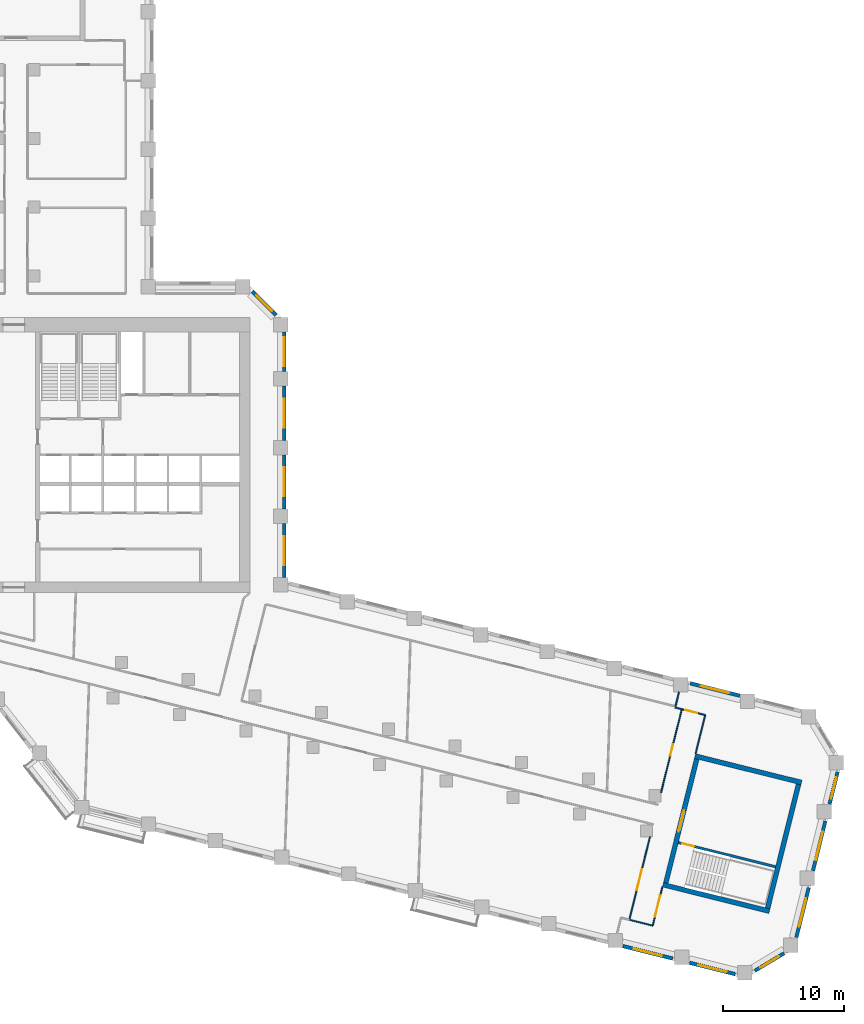
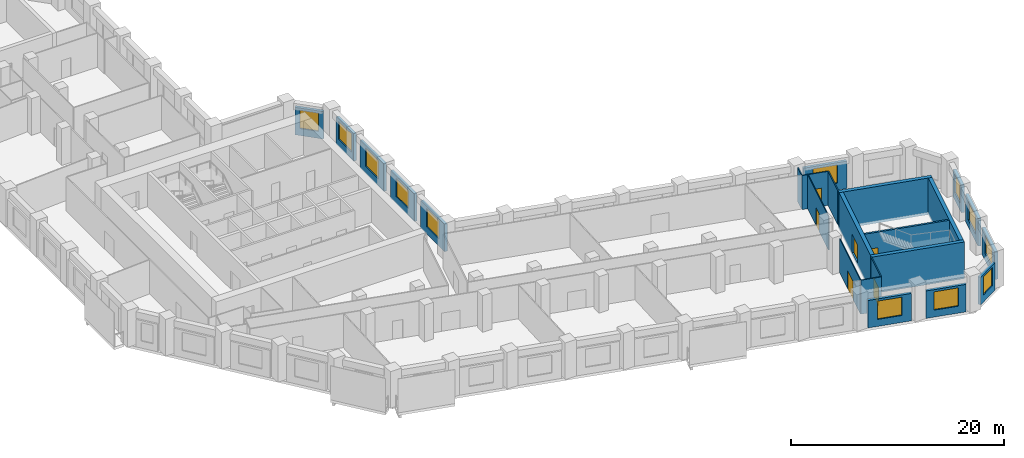
# One storey, part 6 of 10: 25 walls, 12 windows, 6 doors, 18 openings.
"""IFC4 building model written with IfcOpenShell, lengths in metres."""

from ifc_helpers import new_model, si_unit, direction, frame, frame_2d, origin, place, context, subcontext, project, spatial, rectangle, extrude, material, layer, layer_set, type_object, element, fill, save


model = new_model("IFC4")

# Units and contexts
model_context = context("Model", 3, precision=1e-05, world=origin(), true_north=direction((0.0, 1.0)))
body_context = subcontext(model_context, "Body", "Model", "MODEL_VIEW")
ifc_project = project(units=[si_unit("LENGTHUNIT", "METRE"), si_unit("AREAUNIT", "SQUARE_METRE"), si_unit("VOLUMEUNIT", "CUBIC_METRE"), si_unit("PLANEANGLEUNIT", "RADIAN"), si_unit("MASSUNIT", "GRAM", prefix="KILO")], contexts=[model_context])

# Site, building, storey
site_placement = place(None, origin())
site = spatial("IfcSite", under=ifc_project, at=site_placement, CompositionType="ELEMENT")
building_placement = place(site_placement, origin())
building = spatial("IfcBuilding", under=site, at=building_placement, Name="Meshkara Civic Tower", CompositionType="ELEMENT")
storey_placement = place(building_placement, frame((0.0, 0.0, 169.800048828125)))
storey = spatial("IfcBuildingStorey", under=building, at=storey_placement, Name="L38", CompositionType="ELEMENT", Elevation=169.800048828125)

# Wall
ifc_material_1 = material(Name="Corridor wall 100")
ifc_layer_1 = layer(ifc_material_1, 0.10009765625)
ifc_layer_set_1 = layer_set([ifc_layer_1], Name="Corridor wall 100")
wall_type_1 = type_object("IfcWallType", Name="Corridor wall 100", PredefinedType="PARTITIONING", material=ifc_layer_set_1)
wall_1_placement = place(storey_placement, frame((62.261962890625, -13.050048828125, 0.0), z_axis=(0.0, 0.0, 1.0), x_axis=(0.970300241929, -0.241903783585, 0.0)))
element("IfcWall", 1, at=wall_1_placement, inside=storey, type_object=wall_type_1, Name="L38-W032", PredefinedType="PARTITIONING", context=body_context, shape_type="SweptSolid", body=[
    extrude(rectangle(XDim=2.000244140625, YDim=0.10009765625, at=frame_2d((1.0, 0.0))), origin(), (0.0, 0.0, 1.0), 3.89990234375),
])

# Wall, opening, door
wall_2_placement = place(storey_placement, frame((63.97705078125, -6.1708984375, 0.0), z_axis=(0.0, 0.0, 1.0), x_axis=(-0.241911678739, -0.970298273568, 0.0)))
wall_2 = element("IfcWall", 2, at=wall_2_placement, inside=storey, type_object=wall_type_1, Name="L38-W033", PredefinedType="PARTITIONING", context=body_context, shape_type="SweptSolid", body=[
    extrude(rectangle(XDim=7.08984375, YDim=0.10009765625, at=frame_2d((3.544921875, 0.0))), origin(), (0.0, 0.0, 1.0), 3.89990234375),
])
opening_1_placement = place(wall_2_placement, frame((2.780029296875, 0.0, 0.0)))
opening_1 = element("IfcOpeningElement", 3, at=opening_1_placement, cuts=wall_2, Name="Opening L38-D001", PredefinedType="OPENING", context=body_context, shape_type="SweptSolid", body=[
    extrude(rectangle(XDim=1.800048828125, YDim=2.10009765625, at=frame_2d((0.89990234375, 1.050048828125))), frame((0.0, 0.06005859375, 0.0), z_axis=(0.0, -1.0, 0.0), x_axis=(1.0, 0.0, 0.0)), (0.0, 0.0, 1.0), 0.1201171875),
])
ifc_material_2 = material(Name="Door pair 1800 x 2100")
door_type_1 = type_object("IfcDoorType", Name="Door pair 1800 x 2100", OperationType="SINGLE_SWING_LEFT", PredefinedType="DOOR", material=ifc_material_2)
door_1_placement = place(opening_1_placement, origin())
door_1 = element("IfcDoor", 4, at=door_1_placement, inside=storey, type_object=door_type_1, Name="L38-D001", OperationType="DOUBLE_DOOR_SINGLE_SWING", OverallHeight=2.10009765625, OverallWidth=1.800048828125, PredefinedType="DOOR", context=body_context, shape_type="SweptSolid", body=[
    extrude(rectangle(XDim=1.800048828125, YDim=2.10009765625, at=frame_2d((0.89990234375, 1.050048828125))), frame((0.0, 0.02490234375, 0.0), z_axis=(0.0, -1.0, 0.0), x_axis=(1.0, 0.0, 0.0)), (0.0, 0.0, 1.0), 0.050048828125),
])
fill(opening_1, door_1)

wall_3_placement = place(storey_placement, frame((64.202880859375, -13.533935546875, 0.0), z_axis=(0.0, 0.0, 1.0), x_axis=(0.241856645367, 0.970311992656, 0.0)))
wall_3 = element("IfcWall", 5, at=wall_3_placement, inside=storey, type_object=wall_type_1, Name="L38-W034", PredefinedType="PARTITIONING", context=body_context, shape_type="SweptSolid", body=[
    extrude(rectangle(XDim=3.2998046875, YDim=0.10009765625, at=frame_2d((1.64990234375, 0.0))), origin(), (0.0, 0.0, 1.0), 3.89990234375),
])
opening_2_placement = place(wall_3_placement, frame((0.780029296875, 0.0, 0.0)))
opening_2 = element("IfcOpeningElement", 6, at=opening_2_placement, cuts=wall_3, Name="Opening L38-D002", PredefinedType="OPENING", context=body_context, shape_type="SweptSolid", body=[
    extrude(rectangle(XDim=1.800048828125, YDim=2.10009765625, at=frame_2d((0.89990234375, 1.050048828125))), frame((0.0, 0.06005859375, 0.0), z_axis=(0.0, -1.0, 0.0), x_axis=(1.0, 0.0, 0.0)), (0.0, 0.0, 1.0), 0.1201171875),
])
door_2_placement = place(opening_2_placement, origin())
door_2 = element("IfcDoor", 7, at=door_2_placement, inside=storey, type_object=door_type_1, Name="L38-D002", OperationType="DOUBLE_DOOR_SINGLE_SWING", OverallHeight=2.10009765625, OverallWidth=1.800048828125, PredefinedType="DOOR", context=body_context, shape_type="SweptSolid", body=[
    extrude(rectangle(XDim=1.800048828125, YDim=2.10009765625, at=frame_2d((0.89990234375, 1.050048828125))), frame((0.0, 0.02490234375, 0.0), z_axis=(0.0, -1.0, 0.0), x_axis=(1.0, 0.0, 0.0)), (0.0, 0.0, 1.0), 0.050048828125),
])
fill(opening_2, door_2)

# Wall
wall_4_placement = place(storey_placement, frame((66.0869140625, 4.64990234375, 0.0), z_axis=(0.0, 0.0, 1.0), x_axis=(0.24202255973, 0.970270622343, 0.0)))
element("IfcWall", 8, at=wall_4_placement, inside=storey, type_object=wall_type_1, Name="L38-W035", PredefinedType="PARTITIONING", context=body_context, shape_type="SweptSolid", body=[
    extrude(rectangle(XDim=1.231689453125, YDim=0.10009765625, at=frame_2d((0.61572265625, 0.0))), origin(), (0.0, 0.0, 1.0), 3.89990234375),
])

# Wall, opening, door
wall_5_placement = place(storey_placement, frame((66.616943359375, 4.4150390625, 0.0), z_axis=(0.0, 0.0, 1.0), x_axis=(-0.241898048516, -0.97030167171, 0.0)))
wall_5 = element("IfcWall", 9, at=wall_5_placement, inside=storey, type_object=wall_type_1, Name="L38-W036", PredefinedType="PARTITIONING", context=body_context, shape_type="SweptSolid", body=[
    extrude(rectangle(XDim=7.118408203125, YDim=0.10009765625, at=frame_2d((3.55908203125, 0.0))), origin(), (0.0, 0.0, 1.0), 3.89990234375),
])
opening_3_placement = place(wall_5_placement, frame((2.97998046875, 0.0, 0.0)))
opening_3 = element("IfcOpeningElement", 10, at=opening_3_placement, cuts=wall_5, Name="Opening L38-D008", PredefinedType="OPENING", context=body_context, shape_type="SweptSolid", body=[
    extrude(rectangle(XDim=1.0, YDim=2.10009765625, at=frame_2d((0.5, 1.050048828125))), frame((0.0, 0.06005859375, 0.0), z_axis=(0.0, -1.0, 0.0), x_axis=(1.0, 0.0, 0.0)), (0.0, 0.0, 1.0), 0.1201171875),
])
ifc_material_3 = material(Name="Door 1000 x 2100")
door_type_2 = type_object("IfcDoorType", Name="Door 1000 x 2100", OperationType="SINGLE_SWING_LEFT", PredefinedType="DOOR", material=ifc_material_3)
door_3_placement = place(opening_3_placement, origin())
door_3 = element("IfcDoor", 11, at=door_3_placement, inside=storey, type_object=door_type_2, Name="L38-D008", OperationType="SINGLE_SWING_RIGHT", OverallHeight=2.10009765625, OverallWidth=1.0, PredefinedType="DOOR", context=body_context, shape_type="SweptSolid", body=[
    extrude(rectangle(XDim=1.0, YDim=2.10009765625, at=frame_2d((0.5, 1.050048828125))), frame((0.0, 0.02490234375, 0.0), z_axis=(0.0, -1.0, 0.0), x_axis=(1.0, 0.0, 0.0)), (0.0, 0.0, 1.0), 0.050048828125),
])
fill(opening_3, door_3)

# Wall
wall_6_placement = place(storey_placement, frame((67.759033203125, 0.72900390625, 0.0), z_axis=(0.0, 0.0, 1.0), x_axis=(0.241786986316, 0.970329352977, 0.0)))
element("IfcWall", 12, at=wall_6_placement, inside=storey, type_object=wall_type_1, Name="L38-W037", PredefinedType="PARTITIONING", context=body_context, shape_type="SweptSolid", body=[
    extrude(rectangle(XDim=3.2998046875, YDim=0.10009765625, at=frame_2d((1.64990234375, 0.0))), origin(), (0.0, 0.0, 1.0), 3.89990234375),
])

# Wall, opening, door
wall_7_placement = place(storey_placement, frame((68.556884765625, 3.930908203125, 0.0), z_axis=(0.0, 0.0, 1.0), x_axis=(-0.970242973473, 0.242133377347, 0.0)))
wall_7 = element("IfcWall", 13, at=wall_7_placement, inside=storey, type_object=wall_type_1, Name="L38-W038", PredefinedType="PARTITIONING", context=body_context, shape_type="SweptSolid", body=[
    extrude(rectangle(XDim=1.99951171875, YDim=0.10009765625, at=frame_2d((0.999755859375, 0.0))), origin(), (0.0, 0.0, 1.0), 3.89990234375),
])
opening_4_placement = place(wall_7_placement, frame((0.679931640625, 0.0, 0.0)))
opening_4 = element("IfcOpeningElement", 14, at=opening_4_placement, cuts=wall_7, Name="Opening L38-D009", PredefinedType="OPENING", context=body_context, shape_type="SweptSolid", body=[
    extrude(rectangle(XDim=1.0, YDim=2.10009765625, at=frame_2d((0.5, 1.050048828125))), frame((0.0, 0.06005859375, 0.0), z_axis=(0.0, -1.0, 0.0), x_axis=(1.0, 0.0, 0.0)), (0.0, 0.0, 1.0), 0.1201171875),
])
door_4_placement = place(opening_4_placement, origin())
door_4 = element("IfcDoor", 15, at=door_4_placement, inside=storey, type_object=door_type_2, Name="L38-D009", OperationType="SINGLE_SWING_LEFT", OverallHeight=2.10009765625, OverallWidth=1.0, PredefinedType="DOOR", context=body_context, shape_type="SweptSolid", body=[
    extrude(rectangle(XDim=1.0, YDim=2.10009765625, at=frame_2d((0.5, 1.050048828125))), frame((0.0, 0.02490234375, 0.0), z_axis=(0.0, -1.0, 0.0), x_axis=(1.0, 0.0, 0.0)), (0.0, 0.0, 1.0), 0.050048828125),
])
fill(opening_4, door_4)

# Wall, opening, window
ifc_material_4 = material(Name="Insulated infill panel with bronze anodised aluminium cladding", Category="aluminium")
ifc_layer_2 = layer(ifc_material_4, 0.300048828125)
ifc_layer_set_2 = layer_set([ifc_layer_2], Name="EXTERNAL INFILL WALL 300")
wall_type_2 = type_object("IfcWallType", Name="EXTERNAL INFILL WALL 300", PredefinedType="SOLIDWALL", material=ifc_layer_set_2)
wall_8_placement = place(storey_placement, frame((71.431884765625, 5.532958984375, 0.0), z_axis=(0.0, 0.0, 1.0), x_axis=(-0.970301260502, 0.241899697951, 0.0)))
wall_8 = element("IfcWall", 16, at=wall_8_placement, inside=storey, type_object=wall_type_2, Name="External wall", PredefinedType="SOLIDWALL", context=body_context, shape_type="SweptSolid", body=[
    extrude(rectangle(XDim=4.24609375, YDim=0.300048828125, at=frame_2d((2.123046875, 0.0))), origin(), (0.0, 0.0, 1.0), 3.14990234375),
])
opening_5_placement = place(wall_8_placement, frame((0.923095703125, 0.0, 0.800048828125)))
opening_5 = element("IfcOpeningElement", 17, at=opening_5_placement, cuts=wall_8, Name="Opening W7", PredefinedType="OPENING", context=body_context, shape_type="SweptSolid", body=[
    extrude(rectangle(XDim=2.39990234375, YDim=2.10009765625, at=frame_2d((1.199951171875, 1.050048828125))), frame((0.0, 0.159912109375, 0.0), z_axis=(0.0, -1.0, 0.0), x_axis=(1.0, 0.0, 0.0)), (0.0, 0.0, 1.0), 0.320068359375),
])
ifc_material_5 = material(Name="Tinted double glazing", Category="glass")
window_type_1 = type_object("IfcWindowType", Name="WINDOW 2400x2100", PartitioningType="DOUBLE_PANEL_VERTICAL", PredefinedType="WINDOW", material=ifc_material_5)
window_1_placement = place(opening_5_placement, origin())
window_1 = element("IfcWindow", 18, at=window_1_placement, inside=storey, type_object=window_type_1, Name="Window", OverallHeight=2.10009765625, OverallWidth=2.39990234375, PartitioningType="DOUBLE_PANEL_VERTICAL", PredefinedType="WINDOW", context=body_context, shape_type="SweptSolid", body=[
    extrude(rectangle(XDim=2.39990234375, YDim=2.10009765625, at=frame_2d((1.199951171875, 1.050048828125))), frame((0.0, 0.030029296875, 0.0), z_axis=(0.0, -1.0, 0.0), x_axis=(1.0, 0.0, 0.0)), (0.0, 0.0, 1.0), 0.06005859375),
])
fill(opening_5, window_1)

wall_9_placement = place(storey_placement, frame((33.64990234375, 15.319091796875, 0.0), z_axis=(0.0, 0.0, 1.0), x_axis=(0.0, 1.0, 0.0)))
wall_9 = element("IfcWall", 19, at=wall_9_placement, inside=storey, type_object=wall_type_2, Name="External wall", PredefinedType="SOLIDWALL", context=body_context, shape_type="SweptSolid", body=[
    extrude(rectangle(XDim=4.5, YDim=0.300048828125, at=frame_2d((2.25, 0.0))), origin(), (0.0, 0.0, 1.0), 3.14990234375),
])
opening_6_placement = place(wall_9_placement, frame((1.050048828125, 0.0, 0.800048828125)))
opening_6 = element("IfcOpeningElement", 20, at=opening_6_placement, cuts=wall_9, Name="Opening W7", PredefinedType="OPENING", context=body_context, shape_type="SweptSolid", body=[
    extrude(rectangle(XDim=2.39990234375, YDim=2.10009765625, at=frame_2d((1.199951171875, 1.050048828125))), frame((0.0, 0.159912109375, 0.0), z_axis=(0.0, -1.0, 0.0), x_axis=(1.0, 0.0, 0.0)), (0.0, 0.0, 1.0), 0.320068359375),
])
window_2_placement = place(opening_6_placement, origin())
window_2 = element("IfcWindow", 21, at=window_2_placement, inside=storey, type_object=window_type_1, Name="Window", OverallHeight=2.10009765625, OverallWidth=2.39990234375, PartitioningType="DOUBLE_PANEL_VERTICAL", PredefinedType="WINDOW", context=body_context, shape_type="SweptSolid", body=[
    extrude(rectangle(XDim=2.39990234375, YDim=2.10009765625, at=frame_2d((1.199951171875, 1.050048828125))), frame((0.0, 0.030029296875, 0.0), z_axis=(0.0, -1.0, 0.0), x_axis=(1.0, 0.0, 0.0)), (0.0, 0.0, 1.0), 0.06005859375),
])
fill(opening_6, window_2)

wall_10_placement = place(storey_placement, frame((33.64990234375, 21.01904296875, 0.0), z_axis=(0.0, 0.0, 1.0), x_axis=(0.0, 1.0, 0.0)))
wall_10 = element("IfcWall", 22, at=wall_10_placement, inside=storey, type_object=wall_type_2, Name="External wall", PredefinedType="SOLIDWALL", context=body_context, shape_type="SweptSolid", body=[
    extrude(rectangle(XDim=4.5, YDim=0.300048828125, at=frame_2d((2.25, 0.0))), origin(), (0.0, 0.0, 1.0), 3.14990234375),
])
opening_7_placement = place(wall_10_placement, frame((1.050048828125, 0.0, 0.800048828125)))
opening_7 = element("IfcOpeningElement", 23, at=opening_7_placement, cuts=wall_10, Name="Opening W7", PredefinedType="OPENING", context=body_context, shape_type="SweptSolid", body=[
    extrude(rectangle(XDim=2.39990234375, YDim=2.10009765625, at=frame_2d((1.199951171875, 1.050048828125))), frame((0.0, 0.159912109375, 0.0), z_axis=(0.0, -1.0, 0.0), x_axis=(1.0, 0.0, 0.0)), (0.0, 0.0, 1.0), 0.320068359375),
])
window_3_placement = place(opening_7_placement, origin())
window_3 = element("IfcWindow", 24, at=window_3_placement, inside=storey, type_object=window_type_1, Name="Window", OverallHeight=2.10009765625, OverallWidth=2.39990234375, PartitioningType="DOUBLE_PANEL_VERTICAL", PredefinedType="WINDOW", context=body_context, shape_type="SweptSolid", body=[
    extrude(rectangle(XDim=2.39990234375, YDim=2.10009765625, at=frame_2d((1.199951171875, 1.050048828125))), frame((0.0, 0.030029296875, 0.0), z_axis=(0.0, -1.0, 0.0), x_axis=(1.0, 0.0, 0.0)), (0.0, 0.0, 1.0), 0.06005859375),
])
fill(opening_7, window_3)

wall_11_placement = place(storey_placement, frame((33.64990234375, 26.718994140625, 0.0), z_axis=(0.0, 0.0, 1.0), x_axis=(0.0, 1.0, 0.0)))
wall_11 = element("IfcWall", 25, at=wall_11_placement, inside=storey, type_object=wall_type_2, Name="External wall", PredefinedType="SOLIDWALL", context=body_context, shape_type="SweptSolid", body=[
    extrude(rectangle(XDim=4.5, YDim=0.300048828125, at=frame_2d((2.25, 0.0))), origin(), (0.0, 0.0, 1.0), 3.14990234375),
])
opening_8_placement = place(wall_11_placement, frame((1.050048828125, 0.0, 0.800048828125)))
opening_8 = element("IfcOpeningElement", 26, at=opening_8_placement, cuts=wall_11, Name="Opening W7", PredefinedType="OPENING", context=body_context, shape_type="SweptSolid", body=[
    extrude(rectangle(XDim=2.39990234375, YDim=2.10009765625, at=frame_2d((1.199951171875, 1.050048828125))), frame((0.0, 0.159912109375, 0.0), z_axis=(0.0, -1.0, 0.0), x_axis=(1.0, 0.0, 0.0)), (0.0, 0.0, 1.0), 0.320068359375),
])
window_4_placement = place(opening_8_placement, origin())
window_4 = element("IfcWindow", 27, at=window_4_placement, inside=storey, type_object=window_type_1, Name="Window", OverallHeight=2.10009765625, OverallWidth=2.39990234375, PartitioningType="DOUBLE_PANEL_VERTICAL", PredefinedType="WINDOW", context=body_context, shape_type="SweptSolid", body=[
    extrude(rectangle(XDim=2.39990234375, YDim=2.10009765625, at=frame_2d((1.199951171875, 1.050048828125))), frame((0.0, 0.030029296875, 0.0), z_axis=(0.0, -1.0, 0.0), x_axis=(1.0, 0.0, 0.0)), (0.0, 0.0, 1.0), 0.06005859375),
])
fill(opening_8, window_4)

wall_12_placement = place(storey_placement, frame((33.64990234375, 32.4189453125, 0.0), z_axis=(0.0, 0.0, 1.0), x_axis=(0.0, 1.0, 0.0)))
wall_12 = element("IfcWall", 28, at=wall_12_placement, inside=storey, type_object=wall_type_2, Name="External wall", PredefinedType="SOLIDWALL", context=body_context, shape_type="SweptSolid", body=[
    extrude(rectangle(XDim=3.275146484375, YDim=0.300048828125, at=frame_2d((1.6376953125, 0.0))), origin(), (0.0, 0.0, 1.0), 3.14990234375),
])
opening_9_placement = place(wall_12_placement, frame((0.43798828125, 0.0, 0.800048828125)))
opening_9 = element("IfcOpeningElement", 29, at=opening_9_placement, cuts=wall_12, Name="Opening W7", PredefinedType="OPENING", context=body_context, shape_type="SweptSolid", body=[
    extrude(rectangle(XDim=2.39990234375, YDim=2.10009765625, at=frame_2d((1.199951171875, 1.050048828125))), frame((0.0, 0.159912109375, 0.0), z_axis=(0.0, -1.0, 0.0), x_axis=(1.0, 0.0, 0.0)), (0.0, 0.0, 1.0), 0.320068359375),
])
window_5_placement = place(opening_9_placement, origin())
window_5 = element("IfcWindow", 30, at=window_5_placement, inside=storey, type_object=window_type_1, Name="Window", OverallHeight=2.10009765625, OverallWidth=2.39990234375, PartitioningType="DOUBLE_PANEL_VERTICAL", PredefinedType="WINDOW", context=body_context, shape_type="SweptSolid", body=[
    extrude(rectangle(XDim=2.39990234375, YDim=2.10009765625, at=frame_2d((1.199951171875, 1.050048828125))), frame((0.0, 0.030029296875, 0.0), z_axis=(0.0, -1.0, 0.0), x_axis=(1.0, 0.0, 0.0)), (0.0, 0.0, 1.0), 0.06005859375),
])
fill(opening_9, window_5)

wall_13_placement = place(storey_placement, frame((32.9619140625, 37.10595703125, 0.0), z_axis=(0.0, 0.0, 1.0), x_axis=(-0.707062649074, 0.707150910545, 0.0)))
wall_13 = element("IfcWall", 31, at=wall_13_placement, inside=storey, type_object=wall_type_2, Name="External wall", PredefinedType="SOLIDWALL", context=body_context, shape_type="SweptSolid", body=[
    extrude(rectangle(XDim=2.76611328125, YDim=0.300048828125, at=frame_2d((1.383056640625, 0.0))), origin(), (0.0, 0.0, 1.0), 3.14990234375),
])
opening_10_placement = place(wall_13_placement, frame((0.48291015625, 0.0, 0.800048828125)))
opening_10 = element("IfcOpeningElement", 32, at=opening_10_placement, cuts=wall_13, Name="Opening W9", PredefinedType="OPENING", context=body_context, shape_type="SweptSolid", body=[
    extrude(rectangle(XDim=1.800048828125, YDim=2.10009765625, at=frame_2d((0.89990234375, 1.050048828125))), frame((0.0, 0.159912109375, 0.0), z_axis=(0.0, -1.0, 0.0), x_axis=(1.0, 0.0, 0.0)), (0.0, 0.0, 1.0), 0.320068359375),
])
ifc_material_6 = material(Name="Tinted double glazing", Category="glass")
window_type_2 = type_object("IfcWindowType", Name="WINDOW 1800x2100", PartitioningType="DOUBLE_PANEL_VERTICAL", PredefinedType="WINDOW", material=ifc_material_6)
window_6_placement = place(opening_10_placement, origin())
window_6 = element("IfcWindow", 33, at=window_6_placement, inside=storey, type_object=window_type_2, Name="Window", OverallHeight=2.10009765625, OverallWidth=1.800048828125, PartitioningType="DOUBLE_PANEL_VERTICAL", PredefinedType="WINDOW", context=body_context, shape_type="SweptSolid", body=[
    extrude(rectangle(XDim=1.800048828125, YDim=2.10009765625, at=frame_2d((0.89990234375, 1.050048828125))), frame((0.0, 0.030029296875, 0.0), z_axis=(0.0, -1.0, 0.0), x_axis=(1.0, 0.0, 0.0)), (0.0, 0.0, 1.0), 0.06005859375),
])
fill(opening_10, window_6)

wall_14_placement = place(storey_placement, frame((61.72998046875, -15.236083984375, 0.0), z_axis=(0.0, 0.0, 1.0), x_axis=(0.970304663212, -0.241886048688, 0.0)))
wall_14 = element("IfcWall", 34, at=wall_14_placement, inside=storey, type_object=wall_type_2, Name="External wall", PredefinedType="SOLIDWALL", context=body_context, shape_type="SweptSolid", body=[
    extrude(rectangle(XDim=4.2451171875, YDim=0.300048828125, at=frame_2d((2.12255859375, 0.0))), origin(), (0.0, 0.0, 1.0), 3.14990234375),
])
opening_11_placement = place(wall_14_placement, frame((0.922119140625, 0.0, 0.800048828125)))
opening_11 = element("IfcOpeningElement", 35, at=opening_11_placement, cuts=wall_14, Name="Opening W7", PredefinedType="OPENING", context=body_context, shape_type="SweptSolid", body=[
    extrude(rectangle(XDim=2.39990234375, YDim=2.10009765625, at=frame_2d((1.199951171875, 1.050048828125))), frame((0.0, 0.159912109375, 0.0), z_axis=(0.0, -1.0, 0.0), x_axis=(1.0, 0.0, 0.0)), (0.0, 0.0, 1.0), 0.320068359375),
])
window_7_placement = place(opening_11_placement, origin())
window_7 = element("IfcWindow", 36, at=window_7_placement, inside=storey, type_object=window_type_1, Name="Window", OverallHeight=2.10009765625, OverallWidth=2.39990234375, PartitioningType="DOUBLE_PANEL_VERTICAL", PredefinedType="WINDOW", context=body_context, shape_type="SweptSolid", body=[
    extrude(rectangle(XDim=2.39990234375, YDim=2.10009765625, at=frame_2d((1.199951171875, 1.050048828125))), frame((0.0, 0.030029296875, 0.0), z_axis=(0.0, -1.0, 0.0), x_axis=(1.0, 0.0, 0.0)), (0.0, 0.0, 1.0), 0.06005859375),
])
fill(opening_11, window_7)

wall_15_placement = place(storey_placement, frame((67.260009765625, -16.614990234375, 0.0), z_axis=(0.0, 0.0, 1.0), x_axis=(0.97033344074, -0.241770580885, 0.0)))
wall_15 = element("IfcWall", 37, at=wall_15_placement, inside=storey, type_object=wall_type_2, Name="External wall", PredefinedType="SOLIDWALL", context=body_context, shape_type="SweptSolid", body=[
    extrude(rectangle(XDim=3.905029296875, YDim=0.300048828125, at=frame_2d((1.95263671875, 0.0))), origin(), (0.0, 0.0, 1.0), 3.14990234375),
])
opening_12_placement = place(wall_15_placement, frame((0.751953125, 0.0, 0.800048828125)))
opening_12 = element("IfcOpeningElement", 38, at=opening_12_placement, cuts=wall_15, Name="Opening W7", PredefinedType="OPENING", context=body_context, shape_type="SweptSolid", body=[
    extrude(rectangle(XDim=2.39990234375, YDim=2.10009765625, at=frame_2d((1.199951171875, 1.050048828125))), frame((0.0, 0.159912109375, 0.0), z_axis=(0.0, -1.0, 0.0), x_axis=(1.0, 0.0, 0.0)), (0.0, 0.0, 1.0), 0.320068359375),
])
window_8_placement = place(opening_12_placement, origin())
window_8 = element("IfcWindow", 39, at=window_8_placement, inside=storey, type_object=window_type_1, Name="Window", OverallHeight=2.10009765625, OverallWidth=2.39990234375, PartitioningType="DOUBLE_PANEL_VERTICAL", PredefinedType="WINDOW", context=body_context, shape_type="SweptSolid", body=[
    extrude(rectangle(XDim=2.39990234375, YDim=2.10009765625, at=frame_2d((1.199951171875, 1.050048828125))), frame((0.0, 0.030029296875, 0.0), z_axis=(0.0, -1.0, 0.0), x_axis=(1.0, 0.0, 0.0)), (0.0, 0.0, 1.0), 0.06005859375),
])
fill(opening_12, window_8)

wall_16_placement = place(storey_placement, frame((72.68701171875, -17.277099609375, 0.0), z_axis=(0.0, 0.0, 1.0), x_axis=(0.857309341171, 0.514801606, 0.0)))
wall_16 = element("IfcWall", 40, at=wall_16_placement, inside=storey, type_object=wall_type_2, Name="External wall", PredefinedType="SOLIDWALL", context=body_context, shape_type="SweptSolid", body=[
    extrude(rectangle(XDim=2.81689453125, YDim=0.300048828125, at=frame_2d((1.408447265625, 0.0))), origin(), (0.0, 0.0, 1.0), 3.14990234375),
])
opening_13_placement = place(wall_16_placement, frame((0.508056640625, 0.0, 0.800048828125)))
opening_13 = element("IfcOpeningElement", 41, at=opening_13_placement, cuts=wall_16, Name="Opening W9", PredefinedType="OPENING", context=body_context, shape_type="SweptSolid", body=[
    extrude(rectangle(XDim=1.800048828125, YDim=2.10009765625, at=frame_2d((0.89990234375, 1.050048828125))), frame((0.0, 0.159912109375, 0.0), z_axis=(0.0, -1.0, 0.0), x_axis=(1.0, 0.0, 0.0)), (0.0, 0.0, 1.0), 0.320068359375),
])
window_9_placement = place(opening_13_placement, origin())
window_9 = element("IfcWindow", 42, at=window_9_placement, inside=storey, type_object=window_type_2, Name="Window", OverallHeight=2.10009765625, OverallWidth=1.800048828125, PartitioningType="DOUBLE_PANEL_VERTICAL", PredefinedType="WINDOW", context=body_context, shape_type="SweptSolid", body=[
    extrude(rectangle(XDim=1.800048828125, YDim=2.10009765625, at=frame_2d((0.89990234375, 1.050048828125))), frame((0.0, 0.030029296875, 0.0), z_axis=(0.0, -1.0, 0.0), x_axis=(1.0, 0.0, 0.0)), (0.0, 0.0, 1.0), 0.06005859375),
])
fill(opening_13, window_9)

wall_17_placement = place(storey_placement, frame((76.12109375, -14.511962890625, 0.0), z_axis=(0.0, 0.0, 1.0), x_axis=(0.241845562088, 0.970314755169, 0.0)))
wall_17 = element("IfcWall", 43, at=wall_17_placement, inside=storey, type_object=wall_type_2, Name="External wall", PredefinedType="SOLIDWALL", context=body_context, shape_type="SweptSolid", body=[
    extrude(rectangle(XDim=4.245849609375, YDim=0.300048828125, at=frame_2d((2.123046875, 0.0))), origin(), (0.0, 0.0, 1.0), 3.14990234375),
])
opening_14_placement = place(wall_17_placement, frame((0.923095703125, 0.0, 0.800048828125)))
opening_14 = element("IfcOpeningElement", 44, at=opening_14_placement, cuts=wall_17, Name="Opening W7", PredefinedType="OPENING", context=body_context, shape_type="SweptSolid", body=[
    extrude(rectangle(XDim=2.39990234375, YDim=2.10009765625, at=frame_2d((1.199951171875, 1.050048828125))), frame((0.0, 0.159912109375, 0.0), z_axis=(0.0, -1.0, 0.0), x_axis=(1.0, 0.0, 0.0)), (0.0, 0.0, 1.0), 0.320068359375),
])
window_10_placement = place(opening_14_placement, origin())
window_10 = element("IfcWindow", 45, at=window_10_placement, inside=storey, type_object=window_type_1, Name="Window", OverallHeight=2.10009765625, OverallWidth=2.39990234375, PartitioningType="DOUBLE_PANEL_VERTICAL", PredefinedType="WINDOW", context=body_context, shape_type="SweptSolid", body=[
    extrude(rectangle(XDim=2.39990234375, YDim=2.10009765625, at=frame_2d((1.199951171875, 1.050048828125))), frame((0.0, 0.030029296875, 0.0), z_axis=(0.0, -1.0, 0.0), x_axis=(1.0, 0.0, 0.0)), (0.0, 0.0, 1.0), 0.06005859375),
])
fill(opening_14, window_10)

wall_18_placement = place(storey_placement, frame((77.5, -8.98095703125, 0.0), z_axis=(0.0, 0.0, 1.0), x_axis=(0.241682938765, 0.970355273655, 0.0)))
wall_18 = element("IfcWall", 46, at=wall_18_placement, inside=storey, type_object=wall_type_2, Name="External wall", PredefinedType="SOLIDWALL", context=body_context, shape_type="SweptSolid", body=[
    extrude(rectangle(XDim=4.24462890625, YDim=0.300048828125, at=frame_2d((2.122314453125, 0.0))), origin(), (0.0, 0.0, 1.0), 3.14990234375),
])
opening_15_placement = place(wall_18_placement, frame((0.922119140625, 0.0, 0.800048828125)))
opening_15 = element("IfcOpeningElement", 47, at=opening_15_placement, cuts=wall_18, Name="Opening W7", PredefinedType="OPENING", context=body_context, shape_type="SweptSolid", body=[
    extrude(rectangle(XDim=2.39990234375, YDim=2.10009765625, at=frame_2d((1.199951171875, 1.050048828125))), frame((0.0, 0.159912109375, 0.0), z_axis=(0.0, -1.0, 0.0), x_axis=(1.0, 0.0, 0.0)), (0.0, 0.0, 1.0), 0.320068359375),
])
window_11_placement = place(opening_15_placement, origin())
window_11 = element("IfcWindow", 48, at=window_11_placement, inside=storey, type_object=window_type_1, Name="Window", OverallHeight=2.10009765625, OverallWidth=2.39990234375, PartitioningType="DOUBLE_PANEL_VERTICAL", PredefinedType="WINDOW", context=body_context, shape_type="SweptSolid", body=[
    extrude(rectangle(XDim=2.39990234375, YDim=2.10009765625, at=frame_2d((1.199951171875, 1.050048828125))), frame((0.0, 0.030029296875, 0.0), z_axis=(0.0, -1.0, 0.0), x_axis=(1.0, 0.0, 0.0)), (0.0, 0.0, 1.0), 0.06005859375),
])
fill(opening_15, window_11)

wall_19_placement = place(storey_placement, frame((78.8779296875, -3.450927734375, 0.0), z_axis=(0.0, 0.0, 1.0), x_axis=(0.24190501074, 0.970299935988, 0.0)))
wall_19 = element("IfcWall", 49, at=wall_19_placement, inside=storey, type_object=wall_type_2, Name="External wall", PredefinedType="SOLIDWALL", context=body_context, shape_type="SweptSolid", body=[
    extrude(rectangle(XDim=2.73291015625, YDim=0.300048828125, at=frame_2d((1.366455078125, 0.0))), origin(), (0.0, 0.0, 1.0), 3.14990234375),
])
opening_16_placement = place(wall_19_placement, frame((0.466064453125, 0.0, 0.800048828125)))
opening_16 = element("IfcOpeningElement", 50, at=opening_16_placement, cuts=wall_19, Name="Opening W9", PredefinedType="OPENING", context=body_context, shape_type="SweptSolid", body=[
    extrude(rectangle(XDim=1.800048828125, YDim=2.10009765625, at=frame_2d((0.89990234375, 1.050048828125))), frame((0.0, 0.159912109375, 0.0), z_axis=(0.0, -1.0, 0.0), x_axis=(1.0, 0.0, 0.0)), (0.0, 0.0, 1.0), 0.320068359375),
])
window_12_placement = place(opening_16_placement, origin())
window_12 = element("IfcWindow", 51, at=window_12_placement, inside=storey, type_object=window_type_2, Name="Window", OverallHeight=2.10009765625, OverallWidth=1.800048828125, PartitioningType="DOUBLE_PANEL_VERTICAL", PredefinedType="WINDOW", context=body_context, shape_type="SweptSolid", body=[
    extrude(rectangle(XDim=1.800048828125, YDim=2.10009765625, at=frame_2d((0.89990234375, 1.050048828125))), frame((0.0, 0.030029296875, 0.0), z_axis=(0.0, -1.0, 0.0), x_axis=(1.0, 0.0, 0.0)), (0.0, 0.0, 1.0), 0.06005859375),
])
fill(opening_16, window_12)

# Walls
ifc_material_7 = material(Name="Concrete C70", Category="concrete")
ifc_layer_3 = layer(ifc_material_7, 0.39990234375)
ifc_layer_set_3 = layer_set([ifc_layer_3], Name="End core ring wall 400 C70")
wall_type_3 = type_object("IfcWallType", Name="End core ring wall 400 C70", PredefinedType="SHEAR", material=ifc_layer_set_3)
for number, where, z_axis, x_axis, name in (
    (52, (65.050048828125, -10.137939453125, -0.300048828125), (0.0, 0.0, 1.0), (0.970273354879, -0.242011604707, 0.0), "L38-C027"),
    (53, (67.7109375, 0.534912109375, -0.300048828125), (0.0, 0.0, 1.0), (0.970306418893, -0.241879005816, 0.0), "L38-C028"),
):
    element("IfcWall", number, at=place(storey_placement, frame(where, z_axis=z_axis, x_axis=x_axis)), inside=storey, type_object=wall_type_3, Name=name, PredefinedType="SHEAR", context=body_context, shape_type="SweptSolid", body=[
        extrude(rectangle(XDim=9.099365234375, YDim=0.39990234375, at=frame_2d((4.5498046875, 0.0))), origin(), (0.0, 0.0, 1.0), 4.199951171875),
    ])

# Wall, opening, door
wall_20_placement = place(storey_placement, frame((65.2919921875, -9.991943359375, -0.300048828125), z_axis=(0.0, 0.0, 1.0), x_axis=(0.241890652548, 0.970303515509, 0.0)))
wall_20 = element("IfcWall", 54, at=wall_20_placement, inside=storey, type_object=wall_type_3, Name="L38-C029", PredefinedType="SHEAR", context=body_context, shape_type="SweptSolid", body=[
    extrude(rectangle(XDim=10.599609375, YDim=0.39990234375, at=frame_2d((5.2998046875, 0.0))), origin(), (0.0, 0.0, 1.0), 4.199951171875),
])
opening_17_placement = place(wall_20_placement, frame((4.39990234375, 0.0, 0.300048828125)))
opening_17 = element("IfcOpeningElement", 55, at=opening_17_placement, cuts=wall_20, Name="Opening L38-K202", PredefinedType="OPENING", context=body_context, shape_type="SweptSolid", body=[
    extrude(rectangle(XDim=1.800048828125, YDim=2.10009765625, at=frame_2d((0.89990234375, 1.050048828125))), frame((0.0, 0.2099609375, 0.0), z_axis=(0.0, -1.0, 0.0), x_axis=(1.0, 0.0, 0.0)), (0.0, 0.0, 1.0), 0.419921875),
])
ifc_material_8 = material(Name="Fire-rated door leaf in steel frame", Category="steel")
door_type_3 = type_object("IfcDoorType", Name="Core double door 1800 EI 60", OperationType="DOUBLE_DOOR_SINGLE_SWING", PredefinedType="DOOR", material=ifc_material_8)
door_5_placement = place(opening_17_placement, origin())
door_5 = element("IfcDoor", 56, at=door_5_placement, inside=storey, type_object=door_type_3, Name="L38-K202", OperationType="DOUBLE_DOOR_SINGLE_SWING", OverallHeight=2.10009765625, OverallWidth=1.800048828125, PredefinedType="DOOR", context=body_context, shape_type="SweptSolid", body=[
    extrude(rectangle(XDim=1.800048828125, YDim=2.10009765625, at=frame_2d((0.89990234375, 1.050048828125))), frame((0.0, 0.02490234375, 0.0), z_axis=(0.0, -1.0, 0.0), x_axis=(1.0, 0.0, 0.0)), (0.0, 0.0, 1.0), 0.050048828125),
])
fill(opening_17, door_5)

# Walls
wall_21_placement = place(storey_placement, frame((73.73388671875, -12.096923828125, -0.300048828125), z_axis=(0.0, 0.0, 1.0), x_axis=(0.241912337509, 0.970298109326, 0.0)))
element("IfcWall", 57, at=wall_21_placement, inside=storey, type_object=wall_type_3, Name="L38-C030", PredefinedType="SHEAR", context=body_context, shape_type="SweptSolid", body=[
    extrude(rectangle(XDim=10.599853515625, YDim=0.39990234375, at=frame_2d((5.2998046875, 0.0))), origin(), (0.0, 0.0, 1.0), 4.199951171875),
])
ifc_material_9 = material(Name="Partition 100")
ifc_layer_4 = layer(ifc_material_9, 0.10009765625)
ifc_layer_set_4 = layer_set([ifc_layer_4], Name="Partition 100")
wall_type_4 = type_object("IfcWallType", Name="Partition 100", PredefinedType="PARTITIONING", material=ifc_layer_set_4)
wall_22_placement = place(storey_placement, frame((66.62109375, 4.4140625, 0.0), z_axis=(0.0, 0.0, 1.0), x_axis=(-0.970391687927, 0.241536688727, 0.0)))
element("IfcWall", 58, at=wall_22_placement, inside=storey, type_object=wall_type_4, Name="L38-W058", PredefinedType="PARTITIONING", context=body_context, shape_type="SweptSolid", body=[
    extrude(rectangle(XDim=0.5751953125, YDim=0.10009765625, at=frame_2d((0.28759765625, 0.0))), origin(), (0.0, 0.0, 1.0), 3.89990234375),
])

# Wall, opening, door
ifc_material_10 = material(Name="Concrete C40/50", Category="concrete")
ifc_layer_5 = layer(ifc_material_10, 0.199951171875)
ifc_layer_set_5 = layer_set([ifc_layer_5], Name="Stair enclosure wall 200 C40/50")
wall_type_5 = type_object("IfcWallType", Name="Stair enclosure wall 200 C40/50", PredefinedType="SOLIDWALL", material=ifc_layer_set_5)
wall_23_placement = place(storey_placement, frame((66.3330078125, -6.64501953125, 0.0), z_axis=(0.0, 0.0, 1.0), x_axis=(0.970289402158, -0.241947258837, 0.0)))
wall_23 = element("IfcWall", 59, at=wall_23_placement, inside=storey, type_object=wall_type_5, Name="L38-C031", PredefinedType="SOLIDWALL", context=body_context, shape_type="SweptSolid", body=[
    extrude(rectangle(XDim=8.299560546875, YDim=0.199951171875, at=frame_2d((4.14990234375, 0.0))), origin(), (0.0, 0.0, 1.0), 3.89990234375),
])
opening_18_placement = place(wall_23_placement, frame((0.35009765625, 0.0, 0.0)))
opening_18 = element("IfcOpeningElement", 60, at=opening_18_placement, cuts=wall_23, Name="Opening L38-K201", PredefinedType="OPENING", context=body_context, shape_type="SweptSolid", body=[
    extrude(rectangle(XDim=1.0, YDim=2.10009765625, at=frame_2d((0.5, 1.050048828125))), frame((0.0, 0.10986328125, 0.0), z_axis=(0.0, -1.0, 0.0), x_axis=(1.0, 0.0, 0.0)), (0.0, 0.0, 1.0), 0.219970703125),
])
ifc_material_11 = material(Name="Fire-rated door leaf in steel frame", Category="steel")
door_type_4 = type_object("IfcDoorType", Name="Stair door 1000 EI 120", OperationType="SINGLE_SWING_LEFT", PredefinedType="DOOR", material=ifc_material_11)
door_6_placement = place(opening_18_placement, origin())
door_6 = element("IfcDoor", 61, at=door_6_placement, inside=storey, type_object=door_type_4, Name="L38-K201", OperationType="SINGLE_SWING_LEFT", OverallHeight=2.10009765625, OverallWidth=1.0, PredefinedType="DOOR", context=body_context, shape_type="SweptSolid", body=[
    extrude(rectangle(XDim=1.0, YDim=2.10009765625, at=frame_2d((0.5, 1.050048828125))), frame((0.0, 0.02490234375, 0.0), z_axis=(0.0, -1.0, 0.0), x_axis=(1.0, 0.0, 0.0)), (0.0, 0.0, 1.0), 0.050048828125),
])
fill(opening_18, door_6)

save(model, "model.ifc")
